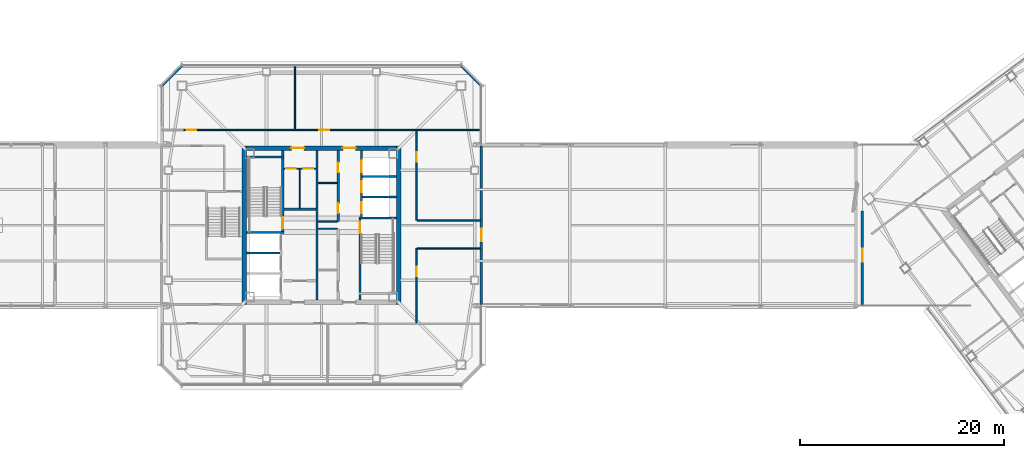
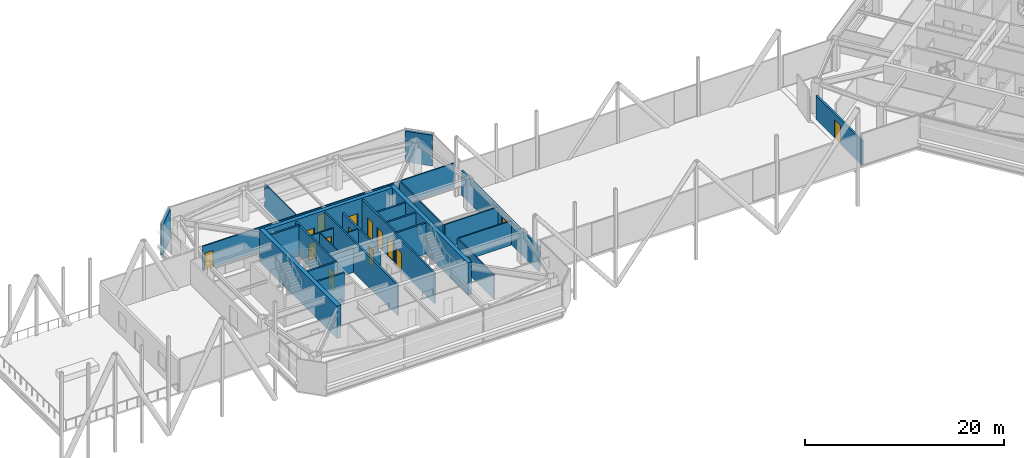
# One storey, part 43 of 53: 31 walls, 17 doors, 17 openings.
"""IFC4 building model written with IfcOpenShell, lengths in metres."""

from ifc_helpers import new_model, si_unit, direction, frame, frame_2d, origin, place, context, subcontext, project, spatial, rectangle, extrude, material, layer, layer_set, type_object, element, fill, save


model = new_model("IFC4")

# Units and contexts
model_context = context("Model", 3, precision=1e-05, world=origin(), true_north=direction((0.0, 1.0)))
body_context = subcontext(model_context, "Body", "Model", "MODEL_VIEW")
ifc_project = project(units=[si_unit("LENGTHUNIT", "METRE"), si_unit("AREAUNIT", "SQUARE_METRE"), si_unit("VOLUMEUNIT", "CUBIC_METRE"), si_unit("PLANEANGLEUNIT", "RADIAN"), si_unit("MASSUNIT", "GRAM", prefix="KILO")], contexts=[model_context])

# Site, building, storey
site_placement = place(None, origin())
site = spatial("IfcSite", under=ifc_project, at=site_placement, CompositionType="ELEMENT")
building_placement = place(site_placement, origin())
building = spatial("IfcBuilding", under=site, at=building_placement, Name="Tashvorn Skyway Center", CompositionType="ELEMENT")
storey_placement = place(building_placement, frame((0.0, 0.0, 255.39990234375)))
storey = spatial("IfcBuildingStorey", under=building, at=storey_placement, Name="L69", CompositionType="ELEMENT", Elevation=255.39990234375)

# Walls
ifc_material_1 = material(Name="Concrete C50/60", Category="concrete")
ifc_layer_1 = layer(ifc_material_1, 0.449951171875)
ifc_layer_set_1 = layer_set([ifc_layer_1], Name="Concrete C50/60")
wall_type_1 = type_object("IfcWallType", Name="WALL-CORE-450", PredefinedType="SHEAR", material=ifc_layer_set_1)
for number, where, z_axis, x_axis, name in (
    (1, (34.425048828125, 24.199951171875, 0.0), (0.0, 0.0, 1.0), (0.0, 1.0, 0.0), "Tower 1 L69 West Core Shear Wall"),
    (2, (49.574951171875, 39.800048828125, 0.0), (0.0, 0.0, 1.0), (0.0, -1.0, 0.0), "Tower 1 L69 East Core Shear Wall"),
):
    element("IfcWall", number, at=place(storey_placement, frame(where, z_axis=z_axis, x_axis=x_axis)), inside=storey, type_object=wall_type_1, Name=name, PredefinedType="SHEAR", context=body_context, shape_type="SweptSolid", body=[
        extrude(rectangle(XDim=15.60009765625, YDim=0.449951171875, at=frame_2d((7.800048828125, 0.0))), origin(), (0.0, 0.0, 1.0), 4.0),
    ])

# Wall, openings, doors
wall_1_placement = place(storey_placement, frame((34.64990234375, 39.574951171875, 0.0), z_axis=(0.0, 0.0, 1.0), x_axis=(1.0, 0.0, 0.0)))
wall_1 = element("IfcWall", 3, at=wall_1_placement, inside=storey, type_object=wall_type_1, Name="Tower 1 L69 North Core Shear Wall", PredefinedType="SHEAR", context=body_context, shape_type="SweptSolid", body=[
    extrude(rectangle(XDim=14.7001953125, YDim=0.449951171875, at=frame_2d((7.35009765625, 0.0))), origin(), (0.0, 0.0, 1.0), 4.0),
])
opening_1_placement = place(wall_1_placement, frame((4.39990234375, 0.0, 0.0)))
opening_1 = element("IfcOpeningElement", 4, at=opening_1_placement, cuts=wall_1, Name="Opening D-FFL-1250", PredefinedType="OPENING", context=body_context, shape_type="SweptSolid", body=[
    extrude(rectangle(XDim=1.25, YDim=2.25, at=frame_2d((0.625, 1.125))), frame((0.0, 0.23486328125, 0.0), z_axis=(0.0, -1.0, 0.0), x_axis=(1.0, 0.0, 0.0)), (0.0, 0.0, 1.0), 0.469970703125),
])
opening_2_placement = place(wall_1_placement, frame((9.449951171875, 0.0, 0.0)))
opening_2 = element("IfcOpeningElement", 5, at=opening_2_placement, cuts=wall_1, Name="Opening D-FFL-1250", PredefinedType="OPENING", context=body_context, shape_type="SweptSolid", body=[
    extrude(rectangle(XDim=1.25, YDim=2.25, at=frame_2d((0.625, 1.125))), frame((0.0, 0.23486328125, 0.0), z_axis=(0.0, -1.0, 0.0), x_axis=(1.0, 0.0, 0.0)), (0.0, 0.0, 1.0), 0.469970703125),
])
ifc_material_2 = material(Name="Hollow galvanized steel fire door assembly", Category="steel")
door_type_1 = type_object("IfcDoorType", Name="DOOR-FFL-1250", OperationType="NOTDEFINED", PredefinedType="DOOR", material=ifc_material_2)
door_1_placement = place(opening_1_placement, origin())
door_1 = element("IfcDoor", 6, at=door_1_placement, inside=storey, type_object=door_type_1, Name="Tower 1 L69 Core North Service Lobby Door", OperationType="SINGLE_SWING_LEFT", OverallHeight=2.25, OverallWidth=1.25, PredefinedType="DOOR", context=body_context, shape_type="SweptSolid", body=[
    extrude(rectangle(XDim=1.25, YDim=2.25, at=frame_2d((0.625, 1.125))), frame((0.0, 0.02490234375, 0.0), z_axis=(0.0, -1.0, 0.0), x_axis=(1.0, 0.0, 0.0)), (0.0, 0.0, 1.0), 0.050048828125),
])
fill(opening_1, door_1)
door_2_placement = place(opening_2_placement, origin())
door_2 = element("IfcDoor", 7, at=door_2_placement, inside=storey, type_object=door_type_1, Name="Tower 1 L69 Core North Lift Lobby Door", OperationType="SINGLE_SWING_RIGHT", OverallHeight=2.25, OverallWidth=1.25, PredefinedType="DOOR", context=body_context, shape_type="SweptSolid", body=[
    extrude(rectangle(XDim=1.25, YDim=2.25, at=frame_2d((0.625, 1.125))), frame((0.0, 0.02490234375, 0.0), z_axis=(0.0, -1.0, 0.0), x_axis=(1.0, 0.0, 0.0)), (0.0, 0.0, 1.0), 0.050048828125),
])
fill(opening_2, door_2)

# Walls
ifc_material_3 = material(Name="Precast concrete C40/50", Category="concrete")
ifc_layer_2 = layer(ifc_material_3, 0.280029296875)
ifc_layer_set_2 = layer_set([ifc_layer_2], Name="Precast concrete C40/50")
wall_type_2 = type_object("IfcWallType", Name="WALL-EXT-280", PredefinedType="SOLIDWALL", material=ifc_layer_set_2)
for number, where, z_axis, x_axis, name in (
    (8, (26.300048828125, 45.699951171875, 0.0), (0.0, 0.0, 1.0), (0.707106781187, 0.707106781187, 0.0), "Tower 1 L69 NW Precast Chamfer Wall"),
    (9, (55.699951171875, 47.699951171875, 0.0), (0.0, 0.0, 1.0), (0.707106781187, -0.707106781187, 0.0), "Tower 1 L69 NE Precast Chamfer Wall"),
):
    element("IfcWall", number, at=place(storey_placement, frame(where, z_axis=z_axis, x_axis=x_axis)), inside=storey, type_object=wall_type_2, Name=name, PredefinedType="SOLIDWALL", context=body_context, shape_type="SweptSolid", body=[
        extrude(rectangle(XDim=2.828369140625, YDim=0.280029296875, at=frame_2d((1.4140625, 0.0))), origin(), (0.0, 0.0, 1.0), 3.780029296875),
    ])

# Wall, opening, door
ifc_material_4 = material(Name="Concrete C40/50", Category="concrete")
ifc_layer_3 = layer(ifc_material_4, 0.219970703125)
ifc_layer_set_3 = layer_set([ifc_layer_3], Name="Concrete C40/50")
wall_type_3 = type_object("IfcWallType", Name="WALL-FFL-220", PredefinedType="SOLIDWALL", material=ifc_layer_set_3)
wall_2_placement = place(storey_placement, frame((57.699951171875, 24.219970703125, 0.0), z_axis=(0.0, 0.0, 1.0), x_axis=(0.0, 1.0, 0.0)))
wall_2 = element("IfcWall", 10, at=wall_2_placement, inside=storey, type_object=wall_type_3, Name="L69 Sky-Park Tower 1 Fire Separation Wall", PredefinedType="SOLIDWALL", context=body_context, shape_type="SweptSolid", body=[
    extrude(rectangle(XDim=15.56005859375, YDim=0.219970703125, at=frame_2d((7.780029296875, 0.0))), origin(), (0.0, 0.0, 1.0), 2.97119140625),
])
opening_3_placement = place(wall_2_placement, frame((6.199951171875, 0.0, 0.0)))
opening_3 = element("IfcOpeningElement", 11, at=opening_3_placement, cuts=wall_2, Name="Opening D-FFL-1250", PredefinedType="OPENING", context=body_context, shape_type="SweptSolid", body=[
    extrude(rectangle(XDim=1.25, YDim=2.25, at=frame_2d((0.625, 1.125))), frame((0.0, 0.119873046875, 0.0), z_axis=(0.0, -1.0, 0.0), x_axis=(1.0, 0.0, 0.0)), (0.0, 0.0, 1.0), 0.239990234375),
])
door_3_placement = place(opening_3_placement, origin())
door_3 = element("IfcDoor", 12, at=door_3_placement, inside=storey, type_object=door_type_1, Name="L69 Sky-Park Bridge West Fire Door", OperationType="SINGLE_SWING_LEFT", OverallHeight=2.25, OverallWidth=1.25, PredefinedType="DOOR", context=body_context, shape_type="SweptSolid", body=[
    extrude(rectangle(XDim=1.25, YDim=2.25, at=frame_2d((0.625, 1.125))), frame((0.0, 0.02490234375, 0.0), z_axis=(0.0, -1.0, 0.0), x_axis=(1.0, 0.0, 0.0)), (0.0, 0.0, 1.0), 0.050048828125),
])
fill(opening_3, door_3)

wall_3_placement = place(storey_placement, frame((95.1201171875, 24.219970703125, 0.0), z_axis=(0.0, 0.0, 1.0), x_axis=(0.0, 1.0, 0.0)))
wall_3 = element("IfcWall", 13, at=wall_3_placement, inside=storey, type_object=wall_type_3, Name="L69 Sky-Park Tower 2 Fire Separation Wall", PredefinedType="SOLIDWALL", context=body_context, shape_type="SweptSolid", body=[
    extrude(rectangle(XDim=9.179931640625, YDim=0.219970703125, at=frame_2d((4.58984375, 0.0))), origin(), (0.0, 0.0, 1.0), 2.97119140625),
])
opening_4_placement = place(wall_3_placement, frame((4.199951171875, 0.0, 0.0)))
opening_4 = element("IfcOpeningElement", 14, at=opening_4_placement, cuts=wall_3, Name="Opening D-FFL-1250", PredefinedType="OPENING", context=body_context, shape_type="SweptSolid", body=[
    extrude(rectangle(XDim=1.25, YDim=2.25, at=frame_2d((0.625, 1.125))), frame((0.0, 0.119873046875, 0.0), z_axis=(0.0, -1.0, 0.0), x_axis=(1.0, 0.0, 0.0)), (0.0, 0.0, 1.0), 0.239990234375),
])
door_4_placement = place(opening_4_placement, origin())
door_4 = element("IfcDoor", 15, at=door_4_placement, inside=storey, type_object=door_type_1, Name="L69 Sky-Park Bridge East Fire Door", OperationType="SINGLE_SWING_RIGHT", OverallHeight=2.25, OverallWidth=1.25, PredefinedType="DOOR", context=body_context, shape_type="SweptSolid", body=[
    extrude(rectangle(XDim=1.25, YDim=2.25, at=frame_2d((0.625, 1.125))), frame((0.0, 0.02490234375, 0.0), z_axis=(0.0, -1.0, 0.0), x_axis=(1.0, 0.0, 0.0)), (0.0, 0.0, 1.0), 0.050048828125),
])
fill(opening_4, door_4)

# Walls
wall_4_placement = place(storey_placement, frame((38.300048828125, 33.56005859375, 0.0), z_axis=(0.0, 0.0, 1.0), x_axis=(1.0, 0.0, 0.0)))
element("IfcWall", 16, at=wall_4_placement, inside=storey, type_object=wall_type_3, Name="Tower 1 L69 Firefighting Lobby North Wall", PredefinedType="SOLIDWALL", context=body_context, shape_type="SweptSolid", body=[
    extrude(rectangle(XDim=3.14990234375, YDim=0.219970703125, at=frame_2d((1.574951171875, 0.0))), origin(), (0.0, 0.0, 1.0), 2.97119140625),
])
ifc_material_5 = material(Name="Gypsum board on cold-formed steel stud framing", Category="steel")
ifc_layer_4 = layer(ifc_material_5, 0.110107421875)
ifc_layer_set_4 = layer_set([ifc_layer_4], Name="Gypsum board on cold-formed steel stud framing")
wall_type_4 = type_object("IfcWallType", Name="WALL-PART-110", PredefinedType="PARTITIONING", material=ifc_layer_set_4)
wall_5_placement = place(storey_placement, frame((39.39990234375, 41.429931640625, 0.0), z_axis=(0.0, 0.0, 1.0), x_axis=(0.0, 1.0, 0.0)))
element("IfcWall", 17, at=wall_5_placement, inside=storey, type_object=wall_type_4, Name="Tower 1 L69 North Suite Partition 1", PredefinedType="PARTITIONING", context=body_context, shape_type="SweptSolid", body=[
    extrude(rectangle(XDim=6.25, YDim=0.110107421875, at=frame_2d((3.125, 0.0))), origin(), (0.0, 0.0, 1.0), 2.97119140625),
])

# Wall, openings, doors
ifc_layer_5 = layer(ifc_material_5, 0.135009765625)
ifc_layer_set_5 = layer_set([ifc_layer_5], Name="Gypsum board on cold-formed steel stud framing")
wall_type_5 = type_object("IfcWallType", Name="WALL-PART-135", PredefinedType="PARTITIONING", material=ifc_layer_set_5)
wall_6_placement = place(storey_placement, frame((28.449951171875, 41.35009765625, 0.0), z_axis=(0.0, 0.0, 1.0), x_axis=(1.0, 0.0, 0.0)))
wall_6 = element("IfcWall", 18, at=wall_6_placement, inside=storey, type_object=wall_type_5, Name="Tower 1 L69 North Suite Wall", PredefinedType="PARTITIONING", context=body_context, shape_type="SweptSolid", body=[
    extrude(rectangle(XDim=22.900146484375, YDim=0.135009765625, at=frame_2d((11.4501953125, 0.0))), origin(), (0.0, 0.0, 1.0), 2.97119140625),
])
opening_5_placement = place(wall_6_placement, frame((0.300048828125, 0.0, 0.0)))
opening_5 = element("IfcOpeningElement", 19, at=opening_5_placement, cuts=wall_6, Name="Opening D-INT-950", PredefinedType="OPENING", context=body_context, shape_type="SweptSolid", body=[
    extrude(rectangle(XDim=0.949951171875, YDim=2.050048828125, at=frame_2d((0.47509765625, 1.02490234375))), frame((0.0, 0.077392578125, 0.0), z_axis=(0.0, -1.0, 0.0), x_axis=(1.0, 0.0, 0.0)), (0.0, 0.0, 1.0), 0.155029296875),
])
opening_6_placement = place(wall_6_placement, frame((13.34375, 0.0, 0.0)))
opening_6 = element("IfcOpeningElement", 20, at=opening_6_placement, cuts=wall_6, Name="Opening D-INT-950", PredefinedType="OPENING", context=body_context, shape_type="SweptSolid", body=[
    extrude(rectangle(XDim=0.949951171875, YDim=2.050048828125, at=frame_2d((0.47509765625, 1.02490234375))), frame((0.0, 0.077392578125, 0.0), z_axis=(0.0, -1.0, 0.0), x_axis=(1.0, 0.0, 0.0)), (0.0, 0.0, 1.0), 0.155029296875),
])
ifc_material_6 = material(Name="Solid-core architectural oak veneer door")
door_type_2 = type_object("IfcDoorType", Name="DOOR-INT-950", OperationType="NOTDEFINED", PredefinedType="DOOR", material=ifc_material_6)
door_5_placement = place(opening_5_placement, origin())
door_5 = element("IfcDoor", 21, at=door_5_placement, inside=storey, type_object=door_type_2, Name="Tower 1 L69 Open Plan Office Door", OperationType="SINGLE_SWING_RIGHT", OverallHeight=2.050048828125, OverallWidth=0.949951171875, PredefinedType="DOOR", context=body_context, shape_type="SweptSolid", body=[
    extrude(rectangle(XDim=0.949951171875, YDim=2.050048828125, at=frame_2d((0.47509765625, 1.02490234375))), frame((0.0, 0.02490234375, 0.0), z_axis=(0.0, -1.0, 0.0), x_axis=(1.0, 0.0, 0.0)), (0.0, 0.0, 1.0), 0.050048828125),
])
fill(opening_5, door_5)
door_6_placement = place(opening_6_placement, origin())
door_6 = element("IfcDoor", 22, at=door_6_placement, inside=storey, type_object=door_type_2, Name="Tower 1 L69 Open Plan Office Door", OperationType="SINGLE_SWING_LEFT", OverallHeight=2.050048828125, OverallWidth=0.949951171875, PredefinedType="DOOR", context=body_context, shape_type="SweptSolid", body=[
    extrude(rectangle(XDim=0.949951171875, YDim=2.050048828125, at=frame_2d((0.47509765625, 1.02490234375))), frame((0.0, 0.02490234375, 0.0), z_axis=(0.0, -1.0, 0.0), x_axis=(1.0, 0.0, 0.0)), (0.0, 0.0, 1.0), 0.050048828125),
])
fill(opening_6, door_6)

# Wall
wall_7_placement = place(storey_placement, frame((51.35009765625, 41.35009765625, 0.0), z_axis=(0.0, 0.0, 1.0), x_axis=(1.0, 0.0, 0.0)))
element("IfcWall", 23, at=wall_7_placement, inside=storey, type_object=wall_type_5, Name="Tower 1 L69 North-East Suite South Wall", PredefinedType="PARTITIONING", context=body_context, shape_type="SweptSolid", body=[
    extrude(rectangle(XDim=6.329833984375, YDim=0.135009765625, at=frame_2d((3.1650390625, 0.0))), origin(), (0.0, 0.0, 1.0), 2.97119140625),
])

# Wall, opening, door
wall_8_placement = place(storey_placement, frame((51.35009765625, 41.27001953125, 0.0), z_axis=(0.0, 0.0, 1.0), x_axis=(0.0, -1.0, 0.0)))
wall_8 = element("IfcWall", 24, at=wall_8_placement, inside=storey, type_object=wall_type_5, Name="Tower 1 L69 East North Suite Wall", PredefinedType="PARTITIONING", context=body_context, shape_type="SweptSolid", body=[
    extrude(rectangle(XDim=8.7900390625, YDim=0.135009765625, at=frame_2d((4.39501953125, 0.0))), origin(), (0.0, 0.0, 1.0), 2.97119140625),
])
opening_7_placement = place(wall_8_placement, frame((2.10009765625, 0.0, 0.0)))
opening_7 = element("IfcOpeningElement", 25, at=opening_7_placement, cuts=wall_8, Name="Opening D-INT-950", PredefinedType="OPENING", context=body_context, shape_type="SweptSolid", body=[
    extrude(rectangle(XDim=0.949951171875, YDim=2.050048828125, at=frame_2d((0.47509765625, 1.02490234375))), frame((0.0, 0.077392578125, 0.0), z_axis=(0.0, -1.0, 0.0), x_axis=(1.0, 0.0, 0.0)), (0.0, 0.0, 1.0), 0.155029296875),
])
door_7_placement = place(opening_7_placement, origin())
door_7 = element("IfcDoor", 26, at=door_7_placement, inside=storey, type_object=door_type_2, Name="Tower 1 L69 Breakout Lounge Door", OperationType="SINGLE_SWING_LEFT", OverallHeight=2.050048828125, OverallWidth=0.949951171875, PredefinedType="DOOR", context=body_context, shape_type="SweptSolid", body=[
    extrude(rectangle(XDim=0.949951171875, YDim=2.050048828125, at=frame_2d((0.47509765625, 1.02490234375))), frame((0.0, 0.02490234375, 0.0), z_axis=(0.0, -1.0, 0.0), x_axis=(1.0, 0.0, 0.0)), (0.0, 0.0, 1.0), 0.050048828125),
])
fill(opening_7, door_7)

wall_9_placement = place(storey_placement, frame((51.35009765625, 29.719970703125, 0.0), z_axis=(0.0, 0.0, 1.0), x_axis=(0.0, -1.0, 0.0)))
wall_9 = element("IfcWall", 27, at=wall_9_placement, inside=storey, type_object=wall_type_5, Name="Tower 1 L69 East South Suite Wall", PredefinedType="PARTITIONING", context=body_context, shape_type="SweptSolid", body=[
    extrude(rectangle(XDim=7.31005859375, YDim=0.135009765625, at=frame_2d((3.655029296875, 0.0))), origin(), (0.0, 0.0, 1.0), 2.97119140625),
])
opening_8_placement = place(wall_9_placement, frame((1.800048828125, 0.0, 0.0)))
opening_8 = element("IfcOpeningElement", 28, at=opening_8_placement, cuts=wall_9, Name="Opening D-INT-950", PredefinedType="OPENING", context=body_context, shape_type="SweptSolid", body=[
    extrude(rectangle(XDim=0.949951171875, YDim=2.050048828125, at=frame_2d((0.47509765625, 1.02490234375))), frame((0.0, 0.077392578125, 0.0), z_axis=(0.0, -1.0, 0.0), x_axis=(1.0, 0.0, 0.0)), (0.0, 0.0, 1.0), 0.155029296875),
])
door_8_placement = place(opening_8_placement, origin())
door_8 = element("IfcDoor", 29, at=door_8_placement, inside=storey, type_object=door_type_2, Name="Tower 1 L69 Executive Conference Suite Door", OperationType="SINGLE_SWING_RIGHT", OverallHeight=2.050048828125, OverallWidth=0.949951171875, PredefinedType="DOOR", context=body_context, shape_type="SweptSolid", body=[
    extrude(rectangle(XDim=0.949951171875, YDim=2.050048828125, at=frame_2d((0.47509765625, 1.02490234375))), frame((0.0, 0.02490234375, 0.0), z_axis=(0.0, -1.0, 0.0), x_axis=(1.0, 0.0, 0.0)), (0.0, 0.0, 1.0), 0.050048828125),
])
fill(opening_8, door_8)

# Walls
for number, where, z_axis, x_axis, name in (
    (30, (51.429931640625, 32.47998046875, 0.0), (0.0, 0.0, 1.0), (1.0, 0.0, 0.0), "Tower 1 L69 Bridge Arm North Wall"),
    (31, (57.6201171875, 29.719970703125, 0.0), (0.0, 0.0, 1.0), (-1.0, 0.0, 0.0), "Tower 1 L69 Bridge Arm South Wall"),
):
    element("IfcWall", number, at=place(storey_placement, frame(where, z_axis=z_axis, x_axis=x_axis)), inside=storey, type_object=wall_type_5, Name=name, PredefinedType="PARTITIONING", context=body_context, shape_type="SweptSolid", body=[
        extrude(rectangle(XDim=6.190185546875, YDim=0.135009765625, at=frame_2d((3.09521484375, 0.0))), origin(), (0.0, 0.0, 1.0), 2.97119140625),
    ])
ifc_layer_6 = layer(ifc_material_5, 0.110107421875)
ifc_layer_set_6 = layer_set([ifc_layer_6], Name="Gypsum board on cold-formed steel stud framing")
wall_type_6 = type_object("IfcWallType", Name="WALL-RATED-110", PredefinedType="PARTITIONING", material=ifc_layer_set_6)
wall_10_placement = place(storey_placement, frame((39.8798828125, 33.679931640625, 0.0), z_axis=(0.0, 0.0, 1.0), x_axis=(0.0, 1.0, 0.0)))
element("IfcWall", 32, at=wall_10_placement, inside=storey, type_object=wall_type_6, Name="Tower 1 L69 Core Split Partition", PredefinedType="PARTITIONING", context=body_context, shape_type="SweptSolid", body=[
    extrude(rectangle(XDim=3.800048828125, YDim=0.110107421875, at=frame_2d((1.89990234375, 0.0))), origin(), (0.0, 0.0, 1.0), 2.97119140625),
])

# Wall, openings, doors
ifc_layer_7 = layer(ifc_material_5, 0.135009765625)
ifc_layer_set_7 = layer_set([ifc_layer_7], Name="Gypsum board on cold-formed steel stud framing")
wall_type_7 = type_object("IfcWallType", Name="WALL-RATED-135", PredefinedType="PARTITIONING", material=ifc_layer_set_7)
wall_11_placement = place(storey_placement, frame((38.300048828125, 37.550048828125, 0.0), z_axis=(0.0, 0.0, 1.0), x_axis=(1.0, 0.0, 0.0)))
wall_11 = element("IfcWall", 33, at=wall_11_placement, inside=storey, type_object=wall_type_7, Name="Tower 1 L69 Core Service Lobby Wall", PredefinedType="PARTITIONING", context=body_context, shape_type="SweptSolid", body=[
    extrude(rectangle(XDim=3.14990234375, YDim=0.135009765625, at=frame_2d((1.574951171875, 0.0))), origin(), (0.0, 0.0, 1.0), 2.97119140625),
])
opening_9_placement = place(wall_11_placement, frame((0.25, 0.0, 0.0)))
opening_9 = element("IfcOpeningElement", 34, at=opening_9_placement, cuts=wall_11, Name="Opening D-RT-950", PredefinedType="OPENING", context=body_context, shape_type="SweptSolid", body=[
    extrude(rectangle(XDim=0.949951171875, YDim=2.050048828125, at=frame_2d((0.47509765625, 1.02490234375))), frame((0.0, 0.077392578125, 0.0), z_axis=(0.0, -1.0, 0.0), x_axis=(1.0, 0.0, 0.0)), (0.0, 0.0, 1.0), 0.155029296875),
])
opening_10_placement = place(wall_11_placement, frame((1.949951171875, 0.0, 0.0)))
opening_10 = element("IfcOpeningElement", 35, at=opening_10_placement, cuts=wall_11, Name="Opening D-RT-950", PredefinedType="OPENING", context=body_context, shape_type="SweptSolid", body=[
    extrude(rectangle(XDim=0.949951171875, YDim=2.050048828125, at=frame_2d((0.47509765625, 1.02490234375))), frame((0.0, 0.077392578125, 0.0), z_axis=(0.0, -1.0, 0.0), x_axis=(1.0, 0.0, 0.0)), (0.0, 0.0, 1.0), 0.155029296875),
])
door_type_3 = type_object("IfcDoorType", Name="DOOR-RATED-950", OperationType="NOTDEFINED", PredefinedType="DOOR", material=ifc_material_2)
door_9_placement = place(opening_9_placement, origin())
door_9 = element("IfcDoor", 36, at=door_9_placement, inside=storey, type_object=door_type_3, Name="Tower 1 L69 Core Accessible WC Door", OperationType="SINGLE_SWING_LEFT", OverallHeight=2.050048828125, OverallWidth=0.949951171875, PredefinedType="DOOR", context=body_context, shape_type="SweptSolid", body=[
    extrude(rectangle(XDim=0.949951171875, YDim=2.050048828125, at=frame_2d((0.47509765625, 1.02490234375))), frame((0.0, 0.02490234375, 0.0), z_axis=(0.0, -1.0, 0.0), x_axis=(1.0, 0.0, 0.0)), (0.0, 0.0, 1.0), 0.050048828125),
])
fill(opening_9, door_9)
door_10_placement = place(opening_10_placement, origin())
door_10 = element("IfcDoor", 37, at=door_10_placement, inside=storey, type_object=door_type_3, Name="Tower 1 L69 Core Cleaner Store Door", OperationType="SINGLE_SWING_RIGHT", OverallHeight=2.050048828125, OverallWidth=0.949951171875, PredefinedType="DOOR", context=body_context, shape_type="SweptSolid", body=[
    extrude(rectangle(XDim=0.949951171875, YDim=2.050048828125, at=frame_2d((0.47509765625, 1.02490234375))), frame((0.0, 0.02490234375, 0.0), z_axis=(0.0, -1.0, 0.0), x_axis=(1.0, 0.0, 0.0)), (0.0, 0.0, 1.0), 0.050048828125),
])
fill(opening_10, door_10)

# Walls
for number, where, z_axis, x_axis, name in (
    (38, (41.669921875, 31.64990234375, 0.0), (0.0, 0.0, 1.0), (1.0, 0.0, 0.0), "Tower 1 L69 Core Room Partition"),
    (39, (41.669921875, 32.35009765625, 0.0), (0.0, 0.0, 1.0), (1.0, 0.0, 0.0), "Tower 1 L69 Core Room Partition"),
    (40, (41.669921875, 36.14990234375, 0.0), (0.0, 0.0, 1.0), (1.0, 0.0, 0.0), "Tower 1 L69 Freed Mid-Rise Partition"),
):
    element("IfcWall", number, at=place(storey_placement, frame(where, z_axis=z_axis, x_axis=x_axis)), inside=storey, type_object=wall_type_7, Name=name, PredefinedType="PARTITIONING", context=body_context, shape_type="SweptSolid", body=[
        extrude(rectangle(XDim=1.880126953125, YDim=0.135009765625, at=frame_2d((0.93994140625, 0.0))), origin(), (0.0, 0.0, 1.0), 2.97119140625),
    ])
ifc_layer_8 = layer(ifc_material_4, 0.199951171875)
ifc_layer_set_8 = layer_set([ifc_layer_8], Name="Concrete C40/50")
wall_type_8 = type_object("IfcWallType", Name="WALL-SHAFT-200", PredefinedType="SOLIDWALL", material=ifc_layer_set_8)
for number, where, z_axis, x_axis, name in (
    (41, (34.64990234375, 29.280029296875, 0.0), (0.0, 0.0, 1.0), (1.0, 0.0, 0.0), "Tower 1 L69 FSAE Shaft Divider"),
    (42, (46.050048828125, 34.75, 0.0), (0.0, 0.0, 1.0), (1.0, 0.0, 0.0), "Tower 1 L69 High-Rise Shaft Divider"),
    (43, (46.050048828125, 36.800048828125, 0.0), (0.0, 0.0, 1.0), (1.0, 0.0, 0.0), "Tower 1 L69 High-Rise Shaft Divider"),
):
    element("IfcWall", number, at=place(storey_placement, frame(where, z_axis=z_axis, x_axis=x_axis)), inside=storey, type_object=wall_type_8, Name=name, PredefinedType="SOLIDWALL", context=body_context, shape_type="SweptSolid", body=[
        extrude(rectangle(XDim=3.300048828125, YDim=0.199951171875, at=frame_2d((1.64990234375, 0.0))), origin(), (0.0, 0.0, 1.0), 3.780029296875),
    ])

# Wall, openings, doors
wall_12_placement = place(storey_placement, frame((43.64990234375, 32.35009765625, 0.0), z_axis=(0.0, 0.0, 1.0), x_axis=(0.0, 1.0, 0.0)))
wall_12 = element("IfcWall", 44, at=wall_12_placement, inside=storey, type_object=wall_type_8, Name="Tower 1 L69 Mid-Rise Core Wall", PredefinedType="SOLIDWALL", context=body_context, shape_type="SweptSolid", body=[
    extrude(rectangle(XDim=7.0, YDim=0.199951171875, at=frame_2d((3.5, 0.0))), origin(), (0.0, 0.0, 1.0), 2.97119140625),
])
opening_11_placement = place(wall_12_placement, frame((0.85009765625, 0.0, 0.0)))
opening_11 = element("IfcOpeningElement", 45, at=opening_11_placement, cuts=wall_12, Name="Opening D-RT-950", PredefinedType="OPENING", context=body_context, shape_type="SweptSolid", body=[
    extrude(rectangle(XDim=0.949951171875, YDim=2.050048828125, at=frame_2d((0.47509765625, 1.02490234375))), frame((0.0, 0.10986328125, 0.0), z_axis=(0.0, -1.0, 0.0), x_axis=(1.0, 0.0, 0.0)), (0.0, 0.0, 1.0), 0.219970703125),
])
opening_12_placement = place(wall_12_placement, frame((4.85009765625, 0.0, 0.0)))
opening_12 = element("IfcOpeningElement", 46, at=opening_12_placement, cuts=wall_12, Name="Opening D-RT-950", PredefinedType="OPENING", context=body_context, shape_type="SweptSolid", body=[
    extrude(rectangle(XDim=0.949951171875, YDim=2.050048828125, at=frame_2d((0.47509765625, 1.02490234375))), frame((0.0, 0.10986328125, 0.0), z_axis=(0.0, -1.0, 0.0), x_axis=(1.0, 0.0, 0.0)), (0.0, 0.0, 1.0), 0.219970703125),
])
door_11_placement = place(opening_11_placement, origin())
door_11 = element("IfcDoor", 47, at=door_11_placement, inside=storey, type_object=door_type_3, Name="Tower 1 L69 Core IT Room Door", OperationType="SINGLE_SWING_RIGHT", OverallHeight=2.050048828125, OverallWidth=0.949951171875, PredefinedType="DOOR", context=body_context, shape_type="SweptSolid", body=[
    extrude(rectangle(XDim=0.949951171875, YDim=2.050048828125, at=frame_2d((0.47509765625, 1.02490234375))), frame((0.0, 0.02490234375, 0.0), z_axis=(0.0, -1.0, 0.0), x_axis=(1.0, 0.0, 0.0)), (0.0, 0.0, 1.0), 0.050048828125),
])
fill(opening_11, door_11)
door_12_placement = place(opening_12_placement, origin())
door_12 = element("IfcDoor", 48, at=door_12_placement, inside=storey, type_object=door_type_3, Name="Tower 1 L69 Core Catering Pantry Door", OperationType="SINGLE_SWING_LEFT", OverallHeight=2.050048828125, OverallWidth=0.949951171875, PredefinedType="DOOR", context=body_context, shape_type="SweptSolid", body=[
    extrude(rectangle(XDim=0.949951171875, YDim=2.050048828125, at=frame_2d((0.47509765625, 1.02490234375))), frame((0.0, 0.02490234375, 0.0), z_axis=(0.0, -1.0, 0.0), x_axis=(1.0, 0.0, 0.0)), (0.0, 0.0, 1.0), 0.050048828125),
])
fill(opening_12, door_12)

# Wall, opening, door
ifc_layer_9 = layer(ifc_material_4, 0.199951171875)
ifc_layer_set_9 = layer_set([ifc_layer_9], Name="Concrete C40/50")
wall_type_9 = type_object("IfcWallType", Name="WALL-STSHF-200", PredefinedType="SHEAR", material=ifc_layer_set_9)
wall_13_placement = place(storey_placement, frame((38.199951171875, 31.199951171875, 0.0), z_axis=(0.0, 0.0, 1.0), x_axis=(0.0, 1.0, 0.0)))
wall_13 = element("IfcWall", 49, at=wall_13_placement, inside=storey, type_object=wall_type_9, Name="Tower 1 L69 Stair 1 Enclosure Wall", PredefinedType="SHEAR", context=body_context, shape_type="SweptSolid", body=[
    extrude(rectangle(XDim=8.150146484375, YDim=0.199951171875, at=frame_2d((4.0751953125, 0.0))), origin(), (0.0, 0.0, 1.0), 3.780029296875),
])
opening_13_placement = place(wall_13_placement, frame((0.449951171875, 0.0, 0.0)))
opening_13 = element("IfcOpeningElement", 50, at=opening_13_placement, cuts=wall_13, Name="Opening D-ST-1150", PredefinedType="OPENING", context=body_context, shape_type="SweptSolid", body=[
    extrude(rectangle(XDim=1.14990234375, YDim=2.199951171875, at=frame_2d((0.574951171875, 1.10009765625))), frame((0.0, 0.10986328125, 0.0), z_axis=(0.0, -1.0, 0.0), x_axis=(1.0, 0.0, 0.0)), (0.0, 0.0, 1.0), 0.219970703125),
])
door_type_4 = type_object("IfcDoorType", Name="DOOR-STAIR-1150", OperationType="NOTDEFINED", PredefinedType="DOOR", material=ifc_material_2)
door_13_placement = place(opening_13_placement, origin())
door_13 = element("IfcDoor", 51, at=door_13_placement, inside=storey, type_object=door_type_4, Name="Tower 1 L69 Exit Stair 1 Door", OperationType="SINGLE_SWING_RIGHT", OverallHeight=2.199951171875, OverallWidth=1.14990234375, PredefinedType="DOOR", context=body_context, shape_type="SweptSolid", body=[
    extrude(rectangle(XDim=1.14990234375, YDim=2.199951171875, at=frame_2d((0.574951171875, 1.10009765625))), frame((0.0, 0.02490234375, 0.0), z_axis=(0.0, -1.0, 0.0), x_axis=(1.0, 0.0, 0.0)), (0.0, 0.0, 1.0), 0.050048828125),
])
fill(opening_13, door_13)

# Walls
for number, where, z_axis, x_axis, name in (
    (52, (34.64990234375, 31.300048828125, 0.0), (0.0, 0.0, 1.0), (1.0, 0.0, 0.0), "Tower 1 L69 Stair 1 South Wall"),
    (53, (34.64990234375, 38.699951171875, 0.0), (0.0, 0.0, 1.0), (1.0, 0.0, 0.0), "Tower 1 L69 Stair 1 North Wall"),
):
    element("IfcWall", number, at=place(storey_placement, frame(where, z_axis=z_axis, x_axis=x_axis)), inside=storey, type_object=wall_type_9, Name=name, PredefinedType="SHEAR", context=body_context, shape_type="SweptSolid", body=[
        extrude(rectangle(XDim=3.650146484375, YDim=0.199951171875, at=frame_2d((1.8251953125, 0.0))), origin(), (0.0, 0.0, 1.0), 3.780029296875),
    ])

# Wall, opening, door
wall_14_placement = place(storey_placement, frame((45.800048828125, 32.800048828125, 0.0), z_axis=(0.0, 0.0, 1.0), x_axis=(0.0, -1.0, 0.0)))
wall_14 = element("IfcWall", 54, at=wall_14_placement, inside=storey, type_object=wall_type_9, Name="Tower 1 L69 Stair 2 Enclosure Wall", PredefinedType="SHEAR", context=body_context, shape_type="SweptSolid", body=[
    extrude(rectangle(XDim=8.150146484375, YDim=0.199951171875, at=frame_2d((4.0751953125, 0.0))), origin(), (0.0, 0.0, 1.0), 3.780029296875),
])
opening_14_placement = place(wall_14_placement, frame((0.449951171875, 0.0, 0.0)))
opening_14 = element("IfcOpeningElement", 55, at=opening_14_placement, cuts=wall_14, Name="Opening D-ST-1150", PredefinedType="OPENING", context=body_context, shape_type="SweptSolid", body=[
    extrude(rectangle(XDim=1.14990234375, YDim=2.199951171875, at=frame_2d((0.574951171875, 1.10009765625))), frame((0.0, 0.10986328125, 0.0), z_axis=(0.0, -1.0, 0.0), x_axis=(1.0, 0.0, 0.0)), (0.0, 0.0, 1.0), 0.219970703125),
])
door_14_placement = place(opening_14_placement, origin())
door_14 = element("IfcDoor", 56, at=door_14_placement, inside=storey, type_object=door_type_4, Name="Tower 1 L69 Exit Stair 2 Door", OperationType="SINGLE_SWING_RIGHT", OverallHeight=2.199951171875, OverallWidth=1.14990234375, PredefinedType="DOOR", context=body_context, shape_type="SweptSolid", body=[
    extrude(rectangle(XDim=1.14990234375, YDim=2.199951171875, at=frame_2d((0.574951171875, 1.10009765625))), frame((0.0, 0.02490234375, 0.0), z_axis=(0.0, -1.0, 0.0), x_axis=(1.0, 0.0, 0.0)), (0.0, 0.0, 1.0), 0.050048828125),
])
fill(opening_14, door_14)

# Walls
wall_15_placement = place(storey_placement, frame((45.699951171875, 32.699951171875, 0.0), z_axis=(0.0, 0.0, 1.0), x_axis=(1.0, 0.0, 0.0)))
element("IfcWall", 57, at=wall_15_placement, inside=storey, type_object=wall_type_9, Name="Tower 1 L69 Stair 2 North Wall", PredefinedType="SHEAR", context=body_context, shape_type="SweptSolid", body=[
    extrude(rectangle(XDim=3.650146484375, YDim=0.199951171875, at=frame_2d((1.8251953125, 0.0))), origin(), (0.0, 0.0, 1.0), 3.780029296875),
])
wall_16_placement = place(storey_placement, frame((41.56005859375, 24.64990234375, 0.0), z_axis=(0.0, 0.0, 1.0), x_axis=(0.0, 1.0, 0.0)))
element("IfcWall", 58, at=wall_16_placement, inside=storey, type_object=wall_type_9, Name="Tower 1 L69 Firefighting Lobby East Smoke Barrier", PredefinedType="SHEAR", context=body_context, shape_type="SweptSolid", body=[
    extrude(rectangle(XDim=14.7001953125, YDim=0.199951171875, at=frame_2d((7.35009765625, 0.0))), origin(), (0.0, 0.0, 1.0), 3.780029296875),
])

# Wall, openings, doors
wall_17_placement = place(storey_placement, frame((45.949951171875, 39.35009765625, 0.0), z_axis=(0.0, 0.0, 1.0), x_axis=(0.0, -1.0, 0.0)))
wall_17 = element("IfcWall", 59, at=wall_17_placement, inside=storey, type_object=wall_type_9, Name="Tower 1 L69 High-Rise Lift Shaft Front Wall", PredefinedType="SHEAR", context=body_context, shape_type="SweptSolid", body=[
    extrude(rectangle(XDim=6.550048828125, YDim=0.199951171875, at=frame_2d((3.27490234375, 0.0))), origin(), (0.0, 0.0, 1.0), 3.780029296875),
])
opening_15_placement = place(wall_17_placement, frame((5.074951171875, 0.0, 0.0)))
opening_15 = element("IfcOpeningElement", 60, at=opening_15_placement, cuts=wall_17, Name="Opening LD-HR-T1-1-L69", PredefinedType="OPENING", context=body_context, shape_type="SweptSolid", body=[
    extrude(rectangle(XDim=1.10009765625, YDim=2.199951171875, at=frame_2d((0.550048828125, 1.10009765625))), frame((0.0, 0.10986328125, 0.0), z_axis=(0.0, -1.0, 0.0), x_axis=(1.0, 0.0, 0.0)), (0.0, 0.0, 1.0), 0.219970703125),
])
opening_16_placement = place(wall_17_placement, frame((3.02490234375, 0.0, 0.0)))
opening_16 = element("IfcOpeningElement", 61, at=opening_16_placement, cuts=wall_17, Name="Opening LD-HR-T1-2-L69", PredefinedType="OPENING", context=body_context, shape_type="SweptSolid", body=[
    extrude(rectangle(XDim=1.10009765625, YDim=2.199951171875, at=frame_2d((0.550048828125, 1.10009765625))), frame((0.0, 0.10986328125, 0.0), z_axis=(0.0, -1.0, 0.0), x_axis=(1.0, 0.0, 0.0)), (0.0, 0.0, 1.0), 0.219970703125),
])
opening_17_placement = place(wall_17_placement, frame((1.02490234375, 0.0, 0.0)))
opening_17 = element("IfcOpeningElement", 62, at=opening_17_placement, cuts=wall_17, Name="Opening LD-HR-T1-3-L69", PredefinedType="OPENING", context=body_context, shape_type="SweptSolid", body=[
    extrude(rectangle(XDim=1.10009765625, YDim=2.199951171875, at=frame_2d((0.550048828125, 1.10009765625))), frame((0.0, 0.10986328125, 0.0), z_axis=(0.0, -1.0, 0.0), x_axis=(1.0, 0.0, 0.0)), (0.0, 0.0, 1.0), 0.219970703125),
])
ifc_material_7 = material(Name="Stainless steel landing door", Category="steel")
door_type_5 = type_object("IfcDoorType", Name="DOOR-LIFT-1100", OperationType="SLIDING_TO_LEFT", PredefinedType="DOOR", material=ifc_material_7)
door_15_placement = place(opening_15_placement, origin())
door_15 = element("IfcDoor", 63, at=door_15_placement, inside=storey, type_object=door_type_5, Name="Lift HR-T1-1 L69 Landing Door", OperationType="SLIDING_TO_LEFT", OverallHeight=2.199951171875, OverallWidth=1.10009765625, PredefinedType="DOOR", context=body_context, shape_type="SweptSolid", body=[
    extrude(rectangle(XDim=1.10009765625, YDim=2.199951171875, at=frame_2d((0.550048828125, 1.10009765625))), frame((0.0, 0.02490234375, 0.0), z_axis=(0.0, -1.0, 0.0), x_axis=(1.0, 0.0, 0.0)), (0.0, 0.0, 1.0), 0.050048828125),
])
fill(opening_15, door_15)
door_16_placement = place(opening_16_placement, origin())
door_16 = element("IfcDoor", 64, at=door_16_placement, inside=storey, type_object=door_type_5, Name="Lift HR-T1-2 L69 Landing Door", OperationType="SLIDING_TO_LEFT", OverallHeight=2.199951171875, OverallWidth=1.10009765625, PredefinedType="DOOR", context=body_context, shape_type="SweptSolid", body=[
    extrude(rectangle(XDim=1.10009765625, YDim=2.199951171875, at=frame_2d((0.550048828125, 1.10009765625))), frame((0.0, 0.02490234375, 0.0), z_axis=(0.0, -1.0, 0.0), x_axis=(1.0, 0.0, 0.0)), (0.0, 0.0, 1.0), 0.050048828125),
])
fill(opening_16, door_16)
door_17_placement = place(opening_17_placement, origin())
door_17 = element("IfcDoor", 65, at=door_17_placement, inside=storey, type_object=door_type_5, Name="Lift HR-T1-3 L69 Landing Door", OperationType="SLIDING_TO_LEFT", OverallHeight=2.199951171875, OverallWidth=1.10009765625, PredefinedType="DOOR", context=body_context, shape_type="SweptSolid", body=[
    extrude(rectangle(XDim=1.10009765625, YDim=2.199951171875, at=frame_2d((0.550048828125, 1.10009765625))), frame((0.0, 0.02490234375, 0.0), z_axis=(0.0, -1.0, 0.0), x_axis=(1.0, 0.0, 0.0)), (0.0, 0.0, 1.0), 0.050048828125),
])
fill(opening_17, door_17)

save(model, "model.ifc")
